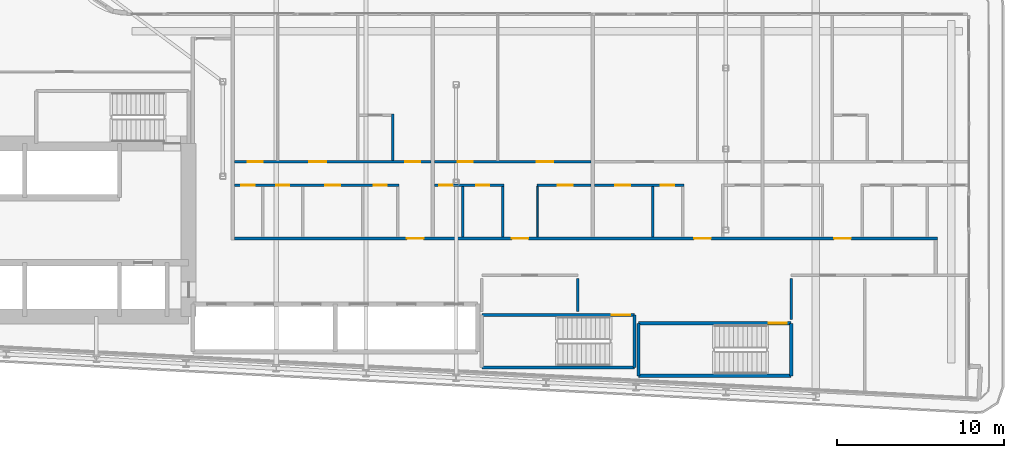
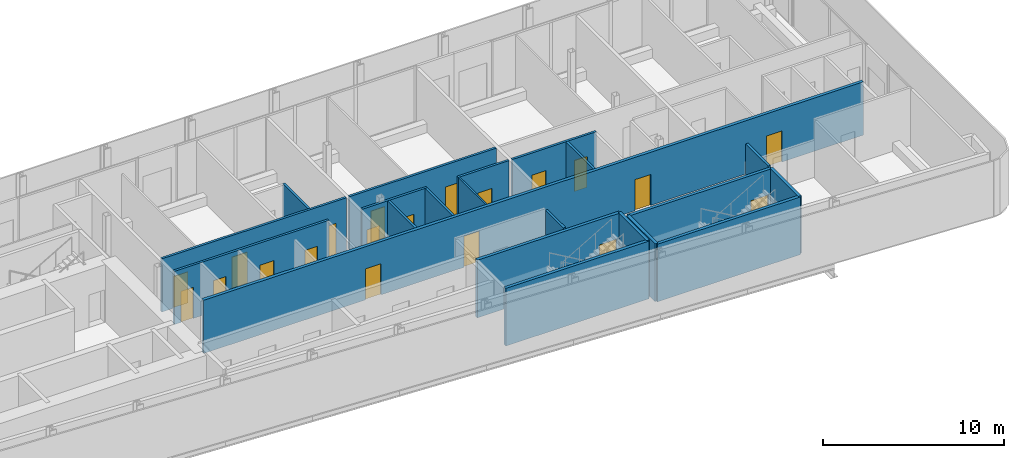
# One storey, part 14 of 26: 21 walls, 20 doors, 20 openings.
"""IFC4 building model written with IfcOpenShell, lengths in metres."""

from ifc_helpers import new_model, si_unit, direction, frame, frame_2d, origin, place, context, subcontext, project, spatial, rectangle, extrude, source, transform, mapped, material, layer, layer_set, type_object, element, fill, save


model = new_model("IFC4")

# Units and contexts
model_context = context("Model", 3, precision=1e-05, world=origin(), true_north=direction((0.0, 1.0)))
body_context = subcontext(model_context, "Body", "Model", "MODEL_VIEW")
ifc_project = project(units=[si_unit("LENGTHUNIT", "METRE"), si_unit("AREAUNIT", "SQUARE_METRE"), si_unit("VOLUMEUNIT", "CUBIC_METRE"), si_unit("PLANEANGLEUNIT", "RADIAN"), si_unit("MASSUNIT", "GRAM", prefix="KILO")], contexts=[model_context])

# Site, building, storey
site_placement = place(None, origin())
site = spatial("IfcSite", under=ifc_project, at=site_placement, CompositionType="ELEMENT")
building_placement = place(site_placement, origin())
building = spatial("IfcBuilding", under=site, at=building_placement, Name="Kheshtan School and Residences Tower", CompositionType="ELEMENT")
storey_placement = place(building_placement, frame((0.0, 0.0, 105.800048828125)))
storey = spatial("IfcBuildingStorey", under=building, at=storey_placement, Name="L24", CompositionType="ELEMENT", Elevation=105.800048828125)

# Wall, openings, doors
ifc_material_1 = material(Name="Gypsum board on steel studs with fire boards", Category="steel")
ifc_layer_1 = layer(ifc_material_1, 0.199951171875)
ifc_layer_set_1 = layer_set([ifc_layer_1], Name="Corridor wall 200")
wall_type_1 = type_object("IfcWallType", Name="Corridor wall 200", PredefinedType="PARTITIONING", material=ifc_layer_set_1)
wall_1_placement = place(storey_placement, frame((55.89990234375, 30.5, 0.0), z_axis=(0.0, 0.0, 1.0), x_axis=(1.0, 0.0, 0.0)))
wall_1 = element("IfcWall", 1, at=wall_1_placement, inside=storey, type_object=wall_type_1, Name="Partition L24-030", PredefinedType="PARTITIONING", context=body_context, shape_type="SweptSolid", body=[
    extrude(rectangle(XDim=42.2001953125, YDim=0.199951171875, at=frame_2d((21.10009765625, 0.0))), origin(), (0.0, 0.0, 1.0), 3.599853515625),
])
opening_1_placement = place(wall_1_placement, frame((10.35009765625, 0.0, 0.0)))
opening_1 = element("IfcOpeningElement", 2, at=opening_1_placement, cuts=wall_1, Name="Opening D23-004", PredefinedType="OPENING", context=body_context, shape_type="SweptSolid", body=[
    extrude(rectangle(XDim=1.0, YDim=2.10009765625, at=frame_2d((0.5, 1.050048828125))), frame((0.0, 0.10986328125, 0.0), z_axis=(0.0, -1.0, 0.0), x_axis=(1.0, 0.0, 0.0)), (0.0, 0.0, 1.0), 0.219970703125),
])
opening_2_placement = place(wall_1_placement, frame((16.64990234375, 0.0, 0.0)))
opening_2 = element("IfcOpeningElement", 3, at=opening_2_placement, cuts=wall_1, Name="Opening D23-012", PredefinedType="OPENING", context=body_context, shape_type="SweptSolid", body=[
    extrude(rectangle(XDim=1.0, YDim=2.10009765625, at=frame_2d((0.5, 1.050048828125))), frame((0.0, 0.10986328125, 0.0), z_axis=(0.0, -1.0, 0.0), x_axis=(1.0, 0.0, 0.0)), (0.0, 0.0, 1.0), 0.219970703125),
])
opening_3_placement = place(wall_1_placement, frame((27.60009765625, 0.0, 0.0)))
opening_3 = element("IfcOpeningElement", 4, at=opening_3_placement, cuts=wall_1, Name="Opening D23-018", PredefinedType="OPENING", context=body_context, shape_type="SweptSolid", body=[
    extrude(rectangle(XDim=1.0, YDim=2.10009765625, at=frame_2d((0.5, 1.050048828125))), frame((0.0, 0.10986328125, 0.0), z_axis=(0.0, -1.0, 0.0), x_axis=(1.0, 0.0, 0.0)), (0.0, 0.0, 1.0), 0.219970703125),
])
opening_4_placement = place(wall_1_placement, frame((36.0, 0.0, 0.0)))
opening_4 = element("IfcOpeningElement", 5, at=opening_4_placement, cuts=wall_1, Name="Opening D23-025", PredefinedType="OPENING", context=body_context, shape_type="SweptSolid", body=[
    extrude(rectangle(XDim=1.0, YDim=2.10009765625, at=frame_2d((0.5, 1.050048828125))), frame((0.0, 0.10986328125, 0.0), z_axis=(0.0, -1.0, 0.0), x_axis=(1.0, 0.0, 0.0)), (0.0, 0.0, 1.0), 0.219970703125),
])
ifc_material_2 = material(Name="Steel-framed fire-resisting door leaf", Category="steel")
door_type_1 = type_object("IfcDoorType", Name="Fire door FD30S 1000 x 2100", OperationType="SINGLE_SWING_LEFT", PredefinedType="DOOR", material=ifc_material_2)
shared_shape_1 = source(origin(), body_context, "Body", "SweptSolid", [
    extrude(rectangle(XDim=1.0, YDim=2.10009765625, at=frame_2d((0.5, 1.050048828125))), frame((0.0, 0.02490234375, 0.0), z_axis=(0.0, -1.0, 0.0), x_axis=(1.0, 0.0, 0.0)), (0.0, 0.0, 1.0), 0.050048828125),
])
door_1_placement = place(opening_1_placement, origin())
door_1 = element("IfcDoor", 6, at=door_1_placement, inside=storey, type_object=door_type_1, Name="Door D23-004", OperationType="SINGLE_SWING_RIGHT", OverallHeight=2.10009765625, OverallWidth=1.0, PredefinedType="DOOR", context=body_context, shape_type="MappedRepresentation", body=[
    mapped(shared_shape_1, transform((0.0, 0.0, 0.0), x_axis=(1.0, 0.0, 0.0), y_axis=(0.0, 1.0, 0.0), z_axis=(0.0, 0.0, 1.0), scale=1.0)),
])
fill(opening_1, door_1)
door_2_placement = place(opening_2_placement, origin())
door_2 = element("IfcDoor", 7, at=door_2_placement, inside=storey, type_object=door_type_1, Name="Door D23-012", OperationType="SINGLE_SWING_RIGHT", OverallHeight=2.10009765625, OverallWidth=1.0, PredefinedType="DOOR", context=body_context, shape_type="MappedRepresentation", body=[
    mapped(shared_shape_1, transform((0.0, 0.0, 0.0), x_axis=(1.0, 0.0, 0.0), y_axis=(0.0, 1.0, 0.0), z_axis=(0.0, 0.0, 1.0), scale=1.0)),
])
fill(opening_2, door_2)
door_3_placement = place(opening_3_placement, origin())
door_3 = element("IfcDoor", 8, at=door_3_placement, inside=storey, type_object=door_type_1, Name="Door D23-018", OperationType="SINGLE_SWING_RIGHT", OverallHeight=2.10009765625, OverallWidth=1.0, PredefinedType="DOOR", context=body_context, shape_type="MappedRepresentation", body=[
    mapped(shared_shape_1, transform((0.0, 0.0, 0.0), x_axis=(1.0, 0.0, 0.0), y_axis=(0.0, 1.0, 0.0), z_axis=(0.0, 0.0, 1.0), scale=1.0)),
])
fill(opening_3, door_3)
door_4_placement = place(opening_4_placement, origin())
door_4 = element("IfcDoor", 9, at=door_4_placement, inside=storey, type_object=door_type_1, Name="Door D23-025", OperationType="SINGLE_SWING_RIGHT", OverallHeight=2.10009765625, OverallWidth=1.0, PredefinedType="DOOR", context=body_context, shape_type="MappedRepresentation", body=[
    mapped(shared_shape_1, transform((0.0, 0.0, 0.0), x_axis=(1.0, 0.0, 0.0), y_axis=(0.0, 1.0, 0.0), z_axis=(0.0, 0.0, 1.0), scale=1.0)),
])
fill(opening_4, door_4)

# Walls
ifc_material_3 = material(Name="Gypsum board on steel studs", Category="steel")
ifc_layer_2 = layer(ifc_material_3, 0.10009765625)
ifc_layer_set_2 = layer_set([ifc_layer_2], Name="Gypsum partition 100")
wall_type_2 = type_object("IfcWallType", Name="Gypsum partition 100", PredefinedType="PARTITIONING", material=ifc_layer_set_2)
wall_2_placement = place(storey_placement, frame((74.10009765625, 30.60009765625, 0.0), z_axis=(0.0, 0.0, 1.0), x_axis=(0.0, 1.0, 0.0)))
element("IfcWall", 10, at=wall_2_placement, inside=storey, type_object=wall_type_2, Name="Partition L24-048", PredefinedType="PARTITIONING", context=body_context, shape_type="SweptSolid", body=[
    extrude(rectangle(XDim=3.02490234375, YDim=0.10009765625, at=frame_2d((1.512451171875, 0.0))), origin(), (0.0, 0.0, 1.0), 3.599853515625),
])
ifc_material_4 = material(Name="Fire-board shaft wall system")
ifc_layer_3 = layer(ifc_material_4, 0.14990234375)
ifc_layer_set_3 = layer_set([ifc_layer_3], Name="Service room wall 150")
wall_type_3 = type_object("IfcWallType", Name="Service room wall 150", PredefinedType="PARTITIONING", material=ifc_layer_set_3)
wall_3_placement = place(storey_placement, frame((76.510009765625, 26.1201171875, 0.0), z_axis=(0.0, 0.0, 1.0), x_axis=(0.0, 1.0, 0.0)))
element("IfcWall", 11, at=wall_3_placement, inside=storey, type_object=wall_type_3, Name="Service room wall", PredefinedType="PARTITIONING", context=body_context, shape_type="SweptSolid", body=[
    extrude(rectangle(XDim=1.98486328125, YDim=0.14990234375, at=frame_2d((0.992431640625, 0.0))), origin(), (0.0, 0.0, 1.0), 3.89990234375),
])
wall_4_placement = place(storey_placement, frame((89.320068359375, 25.6201171875, 0.0), z_axis=(0.0, 0.0, 1.0), x_axis=(0.0, 1.0, 0.0)))
element("IfcWall", 12, at=wall_4_placement, inside=storey, type_object=wall_type_3, Name="Service room wall", PredefinedType="PARTITIONING", context=body_context, shape_type="SweptSolid", body=[
    extrude(rectangle(XDim=2.48486328125, YDim=0.14990234375, at=frame_2d((1.242431640625, 0.0))), origin(), (0.0, 0.0, 1.0), 3.89990234375),
])
ifc_material_5 = material(Name="Concrete C40/50", Category="concrete")
ifc_layer_4 = layer(ifc_material_5, 0.199951171875)
ifc_layer_set_4 = layer_set([ifc_layer_4], Name="Stair enclosure wall 200 Concrete C40/50")
wall_type_4 = type_object("IfcWallType", Name="Stair enclosure wall 200 Concrete C40/50", PredefinedType="SHEAR", material=ifc_layer_set_4)
wall_5_placement = place(storey_placement, frame((80.159912109375, 22.25, 0.0), z_axis=(0.0, 0.0, 1.0), x_axis=(1.0, 0.0, 0.0)))
element("IfcWall", 13, at=wall_5_placement, inside=storey, type_object=wall_type_4, Name="Stair enclosure wall ST4", PredefinedType="SHEAR", context=body_context, shape_type="SweptSolid", body=[
    extrude(rectangle(XDim=9.16015625, YDim=0.199951171875, at=frame_2d((4.580078125, 0.0))), origin(), (0.0, 0.0, 1.0), 3.89990234375),
])

# Wall, opening, door
wall_6_placement = place(storey_placement, frame((80.159912109375, 25.39990234375, 0.0), z_axis=(0.0, 0.0, 1.0), x_axis=(1.0, 0.0, 0.0)))
wall_6 = element("IfcWall", 14, at=wall_6_placement, inside=storey, type_object=wall_type_4, Name="Stair enclosure wall ST4", PredefinedType="SHEAR", context=body_context, shape_type="SweptSolid", body=[
    extrude(rectangle(XDim=9.16015625, YDim=0.199951171875, at=frame_2d((4.580078125, 0.0))), origin(), (0.0, 0.0, 1.0), 3.89990234375),
])
opening_5_placement = place(wall_6_placement, frame((7.81005859375, 0.0, 0.0)))
opening_5 = element("IfcOpeningElement", 15, at=opening_5_placement, cuts=wall_6, Name="Opening ST4D", PredefinedType="OPENING", context=body_context, shape_type="SweptSolid", body=[
    extrude(rectangle(XDim=1.10009765625, YDim=2.199951171875, at=frame_2d((0.550048828125, 1.10009765625))), frame((0.0, 0.10986328125, 0.0), z_axis=(0.0, -1.0, 0.0), x_axis=(1.0, 0.0, 0.0)), (0.0, 0.0, 1.0), 0.219970703125),
])
ifc_material_6 = material(Name="Steel door leaf, galvanised", Category="steel")
door_type_2 = type_object("IfcDoorType", Name="Stair door 1100 steel 90 min", OperationType="SINGLE_SWING_LEFT", PredefinedType="DOOR", material=ifc_material_6)
shared_shape_2 = source(origin(), body_context, "Body", "SweptSolid", [
    extrude(rectangle(XDim=1.10009765625, YDim=2.199951171875, at=frame_2d((0.550048828125, 1.10009765625))), frame((0.0, 0.02490234375, 0.0), z_axis=(0.0, -1.0, 0.0), x_axis=(1.0, 0.0, 0.0)), (0.0, 0.0, 1.0), 0.050048828125),
])
door_5_placement = place(opening_5_placement, origin())
door_5 = element("IfcDoor", 16, at=door_5_placement, inside=storey, type_object=door_type_2, Name="Stair ST4 door", OperationType="SINGLE_SWING_LEFT", OverallHeight=2.199951171875, OverallWidth=1.10009765625, PredefinedType="DOOR", context=body_context, shape_type="MappedRepresentation", body=[
    mapped(shared_shape_2, transform((0.0, 0.0, 0.0), x_axis=(1.0, 0.0, 0.0), y_axis=(0.0, 1.0, 0.0), z_axis=(0.0, 0.0, 1.0), scale=1.0)),
])
fill(opening_5, door_5)

# Walls
for number, where, z_axis, x_axis, name in (
    (17, (80.159912109375, 22.25, 0.0), (0.0, 0.0, 1.0), (0.0, 1.0, 0.0), "Stair enclosure wall ST4"),
    (18, (89.320068359375, 22.25, 0.0), (0.0, 0.0, 1.0), (0.0, 1.0, 0.0), "Stair enclosure wall ST4"),
):
    element("IfcWall", number, at=place(storey_placement, frame(where, z_axis=z_axis, x_axis=x_axis)), inside=storey, type_object=wall_type_4, Name=name, PredefinedType="SHEAR", context=body_context, shape_type="SweptSolid", body=[
        extrude(rectangle(XDim=3.14990234375, YDim=0.199951171875, at=frame_2d((1.574951171875, 0.0))), origin(), (0.0, 0.0, 1.0), 3.89990234375),
    ])
wall_7_placement = place(storey_placement, frame((70.75, 22.75, 0.0), z_axis=(0.0, 0.0, 1.0), x_axis=(1.0, 0.0, 0.0)))
element("IfcWall", 19, at=wall_7_placement, inside=storey, type_object=wall_type_4, Name="Stair enclosure wall ST5", PredefinedType="SHEAR", context=body_context, shape_type="SweptSolid", body=[
    extrude(rectangle(XDim=9.159912109375, YDim=0.199951171875, at=frame_2d((4.580078125, 0.0))), origin(), (0.0, 0.0, 1.0), 3.89990234375),
])

# Wall, opening, door
wall_8_placement = place(storey_placement, frame((70.75, 25.89990234375, 0.0), z_axis=(0.0, 0.0, 1.0), x_axis=(1.0, 0.0, 0.0)))
wall_8 = element("IfcWall", 20, at=wall_8_placement, inside=storey, type_object=wall_type_4, Name="Stair enclosure wall ST5", PredefinedType="SHEAR", context=body_context, shape_type="SweptSolid", body=[
    extrude(rectangle(XDim=9.159912109375, YDim=0.199951171875, at=frame_2d((4.580078125, 0.0))), origin(), (0.0, 0.0, 1.0), 3.89990234375),
])
opening_6_placement = place(wall_8_placement, frame((7.81005859375, 0.0, 0.0)))
opening_6 = element("IfcOpeningElement", 21, at=opening_6_placement, cuts=wall_8, Name="Opening ST5D", PredefinedType="OPENING", context=body_context, shape_type="SweptSolid", body=[
    extrude(rectangle(XDim=1.10009765625, YDim=2.199951171875, at=frame_2d((0.550048828125, 1.10009765625))), frame((0.0, 0.10986328125, 0.0), z_axis=(0.0, -1.0, 0.0), x_axis=(1.0, 0.0, 0.0)), (0.0, 0.0, 1.0), 0.219970703125),
])
door_6_placement = place(opening_6_placement, origin())
door_6 = element("IfcDoor", 22, at=door_6_placement, inside=storey, type_object=door_type_2, Name="Stair ST5 door", OperationType="SINGLE_SWING_LEFT", OverallHeight=2.199951171875, OverallWidth=1.10009765625, PredefinedType="DOOR", context=body_context, shape_type="MappedRepresentation", body=[
    mapped(shared_shape_2, transform((0.0, 0.0, 0.0), x_axis=(1.0, 0.0, 0.0), y_axis=(0.0, 1.0, 0.0), z_axis=(0.0, 0.0, 1.0), scale=1.0)),
])
fill(opening_6, door_6)

# Wall
wall_9_placement = place(storey_placement, frame((79.909912109375, 22.75, 0.0), z_axis=(0.0, 0.0, 1.0), x_axis=(0.0, 1.0, 0.0)))
element("IfcWall", 23, at=wall_9_placement, inside=storey, type_object=wall_type_4, Name="Stair enclosure wall ST5", PredefinedType="SHEAR", context=body_context, shape_type="SweptSolid", body=[
    extrude(rectangle(XDim=3.14990234375, YDim=0.199951171875, at=frame_2d((1.574951171875, 0.0))), origin(), (0.0, 0.0, 1.0), 3.89990234375),
])

# Wall, openings, doors
ifc_material_7 = material(Name="Moisture-resistant gypsum board on steel studs", Category="steel")
ifc_layer_5 = layer(ifc_material_7, 0.14990234375)
ifc_layer_set_5 = layer_set([ifc_layer_5], Name="Wet-room partition 150")
wall_type_5 = type_object("IfcWallType", Name="Wet-room partition 150", PredefinedType="PARTITIONING", material=ifc_layer_set_5)
wall_10_placement = place(storey_placement, frame((55.89990234375, 33.699951171875, 0.0), z_axis=(0.0, 0.0, 1.0), x_axis=(1.0, 0.0, 0.0)))
wall_10 = element("IfcWall", 24, at=wall_10_placement, inside=storey, type_object=wall_type_5, Name="Partition L24-031", PredefinedType="PARTITIONING", context=body_context, shape_type="SweptSolid", body=[
    extrude(rectangle(XDim=9.875, YDim=0.14990234375, at=frame_2d((4.9375, 0.0))), origin(), (0.0, 0.0, 1.0), 3.599853515625),
])
opening_7_placement = place(wall_10_placement, frame((2.5, 0.0, 0.0)))
opening_7 = element("IfcOpeningElement", 25, at=opening_7_placement, cuts=wall_10, Name="Opening D23-001", PredefinedType="OPENING", context=body_context, shape_type="SweptSolid", body=[
    extrude(rectangle(XDim=0.800048828125, YDim=2.10009765625, at=frame_2d((0.39990234375, 1.050048828125))), frame((0.0, 0.0849609375, 0.0), z_axis=(0.0, -1.0, 0.0), x_axis=(1.0, 0.0, 0.0)), (0.0, 0.0, 1.0), 0.169921875),
])
opening_8_placement = place(wall_10_placement, frame((5.449951171875, 0.0, 0.0)))
opening_8 = element("IfcOpeningElement", 26, at=opening_8_placement, cuts=wall_10, Name="Opening D23-005", PredefinedType="OPENING", context=body_context, shape_type="SweptSolid", body=[
    extrude(rectangle(XDim=0.89990234375, YDim=2.10009765625, at=frame_2d((0.449951171875, 1.050048828125))), frame((0.0, 0.0849609375, 0.0), z_axis=(0.0, -1.0, 0.0), x_axis=(1.0, 0.0, 0.0)), (0.0, 0.0, 1.0), 0.169921875),
])
opening_9_placement = place(wall_10_placement, frame((8.35009765625, 0.0, 0.0)))
opening_9 = element("IfcOpeningElement", 27, at=opening_9_placement, cuts=wall_10, Name="Opening D23-006", PredefinedType="OPENING", context=body_context, shape_type="SweptSolid", body=[
    extrude(rectangle(XDim=0.800048828125, YDim=2.10009765625, at=frame_2d((0.39990234375, 1.050048828125))), frame((0.0, 0.0849609375, 0.0), z_axis=(0.0, -1.0, 0.0), x_axis=(1.0, 0.0, 0.0)), (0.0, 0.0, 1.0), 0.169921875),
])
opening_10_placement = place(wall_10_placement, frame((0.39990234375, 0.0, 0.0)))
opening_10 = element("IfcOpeningElement", 28, at=opening_10_placement, cuts=wall_10, Name="Opening D23-009", PredefinedType="OPENING", context=body_context, shape_type="SweptSolid", body=[
    extrude(rectangle(XDim=0.800048828125, YDim=2.10009765625, at=frame_2d((0.39990234375, 1.050048828125))), frame((0.0, 0.0849609375, 0.0), z_axis=(0.0, -1.0, 0.0), x_axis=(1.0, 0.0, 0.0)), (0.0, 0.0, 1.0), 0.169921875),
])
ifc_material_8 = material(Name="Veneered timber door leaf", Category="wood")
door_type_3 = type_object("IfcDoorType", Name="Door 800 x 2100", OperationType="SINGLE_SWING_LEFT", PredefinedType="DOOR", material=ifc_material_8)
shared_shape_3 = source(origin(), body_context, "Body", "SweptSolid", [
    extrude(rectangle(XDim=0.800048828125, YDim=2.10009765625, at=frame_2d((0.39990234375, 1.050048828125))), frame((0.0, 0.02490234375, 0.0), z_axis=(0.0, -1.0, 0.0), x_axis=(1.0, 0.0, 0.0)), (0.0, 0.0, 1.0), 0.050048828125),
])
door_7_placement = place(opening_7_placement, origin())
door_7 = element("IfcDoor", 29, at=door_7_placement, inside=storey, type_object=door_type_3, Name="Door D23-001", OperationType="SINGLE_SWING_RIGHT", OverallHeight=2.10009765625, OverallWidth=0.800048828125, PredefinedType="DOOR", context=body_context, shape_type="MappedRepresentation", body=[
    mapped(shared_shape_3, transform((0.0, 0.0, 0.0), x_axis=(1.0, 0.0, 0.0), y_axis=(0.0, 1.0, 0.0), z_axis=(0.0, 0.0, 1.0), scale=1.0)),
])
fill(opening_7, door_7)
door_8_placement = place(opening_9_placement, origin())
door_8 = element("IfcDoor", 30, at=door_8_placement, inside=storey, type_object=door_type_3, Name="Door D23-006", OperationType="SINGLE_SWING_LEFT", OverallHeight=2.10009765625, OverallWidth=0.800048828125, PredefinedType="DOOR", context=body_context, shape_type="MappedRepresentation", body=[
    mapped(shared_shape_3, transform((0.0, 0.0, 0.0), x_axis=(1.0, 0.0, 0.0), y_axis=(0.0, 1.0, 0.0), z_axis=(0.0, 0.0, 1.0), scale=1.0)),
])
fill(opening_9, door_8)
door_9_placement = place(opening_10_placement, origin())
door_9 = element("IfcDoor", 31, at=door_9_placement, inside=storey, type_object=door_type_3, Name="Door D23-009", OperationType="SINGLE_SWING_LEFT", OverallHeight=2.10009765625, OverallWidth=0.800048828125, PredefinedType="DOOR", context=body_context, shape_type="MappedRepresentation", body=[
    mapped(shared_shape_3, transform((0.0, 0.0, 0.0), x_axis=(1.0, 0.0, 0.0), y_axis=(0.0, 1.0, 0.0), z_axis=(0.0, 0.0, 1.0), scale=1.0)),
])
fill(opening_10, door_9)
door_type_4 = type_object("IfcDoorType", Name="Door 900 x 2100", OperationType="SINGLE_SWING_LEFT", PredefinedType="DOOR", material=ifc_material_8)
shared_shape_4 = source(origin(), body_context, "Body", "SweptSolid", [
    extrude(rectangle(XDim=0.89990234375, YDim=2.10009765625, at=frame_2d((0.449951171875, 1.050048828125))), frame((0.0, 0.02490234375, 0.0), z_axis=(0.0, -1.0, 0.0), x_axis=(1.0, 0.0, 0.0)), (0.0, 0.0, 1.0), 0.050048828125),
])
door_10_placement = place(opening_8_placement, origin())
door_10 = element("IfcDoor", 32, at=door_10_placement, inside=storey, type_object=door_type_4, Name="Door D23-005", OperationType="SINGLE_SWING_LEFT", OverallHeight=2.10009765625, OverallWidth=0.89990234375, PredefinedType="DOOR", context=body_context, shape_type="MappedRepresentation", body=[
    mapped(shared_shape_4, transform((0.0, 0.0, 0.0), x_axis=(1.0, 0.0, 0.0), y_axis=(0.0, 1.0, 0.0), z_axis=(0.0, 0.0, 1.0), scale=1.0)),
])
fill(opening_8, door_10)

wall_11_placement = place(storey_placement, frame((55.89990234375, 35.10009765625, 0.0), z_axis=(0.0, 0.0, 1.0), x_axis=(1.0, 0.0, 0.0)))
wall_11 = element("IfcWall", 33, at=wall_11_placement, inside=storey, type_object=wall_type_5, Name="Partition L24-032", PredefinedType="PARTITIONING", context=body_context, shape_type="SweptSolid", body=[
    extrude(rectangle(XDim=11.800048828125, YDim=0.14990234375, at=frame_2d((5.89990234375, 0.0))), origin(), (0.0, 0.0, 1.0), 3.599853515625),
])
opening_11_placement = place(wall_11_placement, frame((0.800048828125, 0.0, 0.0)))
opening_11 = element("IfcOpeningElement", 34, at=opening_11_placement, cuts=wall_11, Name="Opening D23-002", PredefinedType="OPENING", context=body_context, shape_type="SweptSolid", body=[
    extrude(rectangle(XDim=0.89990234375, YDim=2.10009765625, at=frame_2d((0.449951171875, 1.050048828125))), frame((0.0, 0.0849609375, 0.0), z_axis=(0.0, -1.0, 0.0), x_axis=(1.0, 0.0, 0.0)), (0.0, 0.0, 1.0), 0.169921875),
])
opening_12_placement = place(wall_11_placement, frame((4.5, 0.0, 0.0)))
opening_12 = element("IfcOpeningElement", 35, at=opening_12_placement, cuts=wall_11, Name="Opening D23-007", PredefinedType="OPENING", context=body_context, shape_type="SweptSolid", body=[
    extrude(rectangle(XDim=1.0, YDim=2.10009765625, at=frame_2d((0.5, 1.050048828125))), frame((0.0, 0.0849609375, 0.0), z_axis=(0.0, -1.0, 0.0), x_axis=(1.0, 0.0, 0.0)), (0.0, 0.0, 1.0), 0.169921875),
])
opening_13_placement = place(wall_11_placement, frame((10.25, 0.0, 0.0)))
opening_13 = element("IfcOpeningElement", 36, at=opening_13_placement, cuts=wall_11, Name="Opening D23-008", PredefinedType="OPENING", context=body_context, shape_type="SweptSolid", body=[
    extrude(rectangle(XDim=0.89990234375, YDim=2.10009765625, at=frame_2d((0.449951171875, 1.050048828125))), frame((0.0, 0.0849609375, 0.0), z_axis=(0.0, -1.0, 0.0), x_axis=(1.0, 0.0, 0.0)), (0.0, 0.0, 1.0), 0.169921875),
])
door_type_5 = type_object("IfcDoorType", Name="Door 1000 x 2100", OperationType="SINGLE_SWING_LEFT", PredefinedType="DOOR", material=ifc_material_8)
shared_shape_5 = source(origin(), body_context, "Body", "SweptSolid", [
    extrude(rectangle(XDim=1.0, YDim=2.10009765625, at=frame_2d((0.5, 1.050048828125))), frame((0.0, 0.02490234375, 0.0), z_axis=(0.0, -1.0, 0.0), x_axis=(1.0, 0.0, 0.0)), (0.0, 0.0, 1.0), 0.050048828125),
])
door_11_placement = place(opening_12_placement, origin())
door_11 = element("IfcDoor", 37, at=door_11_placement, inside=storey, type_object=door_type_5, Name="Door D23-007", OperationType="SINGLE_SWING_RIGHT", OverallHeight=2.10009765625, OverallWidth=1.0, PredefinedType="DOOR", context=body_context, shape_type="MappedRepresentation", body=[
    mapped(shared_shape_5, transform((0.0, 0.0, 0.0), x_axis=(1.0, 0.0, 0.0), y_axis=(0.0, 1.0, 0.0), z_axis=(0.0, 0.0, 1.0), scale=1.0)),
])
fill(opening_12, door_11)
door_12_placement = place(opening_11_placement, origin())
door_12 = element("IfcDoor", 38, at=door_12_placement, inside=storey, type_object=door_type_4, Name="Door D23-002", OperationType="SINGLE_SWING_RIGHT", OverallHeight=2.10009765625, OverallWidth=0.89990234375, PredefinedType="DOOR", context=body_context, shape_type="MappedRepresentation", body=[
    mapped(shared_shape_4, transform((0.0, 0.0, 0.0), x_axis=(1.0, 0.0, 0.0), y_axis=(0.0, 1.0, 0.0), z_axis=(0.0, 0.0, 1.0), scale=1.0)),
])
fill(opening_11, door_12)
door_13_placement = place(opening_13_placement, origin())
door_13 = element("IfcDoor", 39, at=door_13_placement, inside=storey, type_object=door_type_4, Name="Door D23-008", OperationType="SINGLE_SWING_LEFT", OverallHeight=2.10009765625, OverallWidth=0.89990234375, PredefinedType="DOOR", context=body_context, shape_type="MappedRepresentation", body=[
    mapped(shared_shape_4, transform((0.0, 0.0, 0.0), x_axis=(1.0, 0.0, 0.0), y_axis=(0.0, 1.0, 0.0), z_axis=(0.0, 0.0, 1.0), scale=1.0)),
])
fill(opening_13, door_13)

# Wall
wall_12_placement = place(storey_placement, frame((65.39990234375, 35.175048828125, 0.0), z_axis=(0.0, 0.0, 1.0), x_axis=(0.0, 1.0, 0.0)))
element("IfcWall", 40, at=wall_12_placement, inside=storey, type_object=wall_type_5, Name="Partition L24-039", PredefinedType="PARTITIONING", context=body_context, shape_type="SweptSolid", body=[
    extrude(rectangle(XDim=2.800048828125, YDim=0.14990234375, at=frame_2d((1.39990234375, 0.0))), origin(), (0.0, 0.0, 1.0), 3.599853515625),
])

# Wall, openings, doors
wall_13_placement = place(storey_placement, frame((67.89990234375, 33.699951171875, 0.0), z_axis=(0.0, 0.0, 1.0), x_axis=(1.0, 0.0, 0.0)))
wall_13 = element("IfcWall", 41, at=wall_13_placement, inside=storey, type_object=wall_type_5, Name="Partition L24-042", PredefinedType="PARTITIONING", context=body_context, shape_type="SweptSolid", body=[
    extrude(rectangle(XDim=4.175048828125, YDim=0.14990234375, at=frame_2d((2.08740234375, 0.0))), origin(), (0.0, 0.0, 1.0), 3.599853515625),
])
opening_14_placement = place(wall_13_placement, frame((2.5, 0.0, 0.0)))
opening_14 = element("IfcOpeningElement", 42, at=opening_14_placement, cuts=wall_13, Name="Opening D23-010", PredefinedType="OPENING", context=body_context, shape_type="SweptSolid", body=[
    extrude(rectangle(XDim=0.800048828125, YDim=2.10009765625, at=frame_2d((0.39990234375, 1.050048828125))), frame((0.0, 0.0849609375, 0.0), z_axis=(0.0, -1.0, 0.0), x_axis=(1.0, 0.0, 0.0)), (0.0, 0.0, 1.0), 0.169921875),
])
opening_15_placement = place(wall_13_placement, frame((0.300048828125, 0.0, 0.0)))
opening_15 = element("IfcOpeningElement", 43, at=opening_15_placement, cuts=wall_13, Name="Opening D23-015", PredefinedType="OPENING", context=body_context, shape_type="SweptSolid", body=[
    extrude(rectangle(XDim=0.800048828125, YDim=2.10009765625, at=frame_2d((0.39990234375, 1.050048828125))), frame((0.0, 0.0849609375, 0.0), z_axis=(0.0, -1.0, 0.0), x_axis=(1.0, 0.0, 0.0)), (0.0, 0.0, 1.0), 0.169921875),
])
door_14_placement = place(opening_14_placement, origin())
door_14 = element("IfcDoor", 44, at=door_14_placement, inside=storey, type_object=door_type_3, Name="Door D23-010", OperationType="SINGLE_SWING_RIGHT", OverallHeight=2.10009765625, OverallWidth=0.800048828125, PredefinedType="DOOR", context=body_context, shape_type="MappedRepresentation", body=[
    mapped(shared_shape_3, transform((0.0, 0.0, 0.0), x_axis=(1.0, 0.0, 0.0), y_axis=(0.0, 1.0, 0.0), z_axis=(0.0, 0.0, 1.0), scale=1.0)),
])
fill(opening_14, door_14)
door_15_placement = place(opening_15_placement, origin())
door_15 = element("IfcDoor", 45, at=door_15_placement, inside=storey, type_object=door_type_3, Name="Door D23-015", OperationType="SINGLE_SWING_RIGHT", OverallHeight=2.10009765625, OverallWidth=0.800048828125, PredefinedType="DOOR", context=body_context, shape_type="MappedRepresentation", body=[
    mapped(shared_shape_3, transform((0.0, 0.0, 0.0), x_axis=(1.0, 0.0, 0.0), y_axis=(0.0, 1.0, 0.0), z_axis=(0.0, 0.0, 1.0), scale=1.0)),
])
fill(opening_15, door_15)

wall_14_placement = place(storey_placement, frame((67.89990234375, 35.10009765625, 0.0), z_axis=(0.0, 0.0, 1.0), x_axis=(1.0, 0.0, 0.0)))
wall_14 = element("IfcWall", 46, at=wall_14_placement, inside=storey, type_object=wall_type_5, Name="Partition L24-043", PredefinedType="PARTITIONING", context=body_context, shape_type="SweptSolid", body=[
    extrude(rectangle(XDim=9.400146484375, YDim=0.14990234375, at=frame_2d((4.7001953125, 0.0))), origin(), (0.0, 0.0, 1.0), 3.599853515625),
])
opening_16_placement = place(wall_14_placement, frame((1.39990234375, 0.0, 0.0)))
opening_16 = element("IfcOpeningElement", 47, at=opening_16_placement, cuts=wall_14, Name="Opening D23-011", PredefinedType="OPENING", context=body_context, shape_type="SweptSolid", body=[
    extrude(rectangle(XDim=0.89990234375, YDim=2.10009765625, at=frame_2d((0.449951171875, 1.050048828125))), frame((0.0, 0.0849609375, 0.0), z_axis=(0.0, -1.0, 0.0), x_axis=(1.0, 0.0, 0.0)), (0.0, 0.0, 1.0), 0.169921875),
])
opening_17_placement = place(wall_14_placement, frame((6.14990234375, 0.0, 0.0)))
opening_17 = element("IfcOpeningElement", 48, at=opening_17_placement, cuts=wall_14, Name="Opening D23-014", PredefinedType="OPENING", context=body_context, shape_type="SweptSolid", body=[
    extrude(rectangle(XDim=1.0, YDim=2.10009765625, at=frame_2d((0.5, 1.050048828125))), frame((0.0, 0.0849609375, 0.0), z_axis=(0.0, -1.0, 0.0), x_axis=(1.0, 0.0, 0.0)), (0.0, 0.0, 1.0), 0.169921875),
])
door_16_placement = place(opening_17_placement, origin())
door_16 = element("IfcDoor", 49, at=door_16_placement, inside=storey, type_object=door_type_5, Name="Door D23-014", OperationType="SINGLE_SWING_LEFT", OverallHeight=2.10009765625, OverallWidth=1.0, PredefinedType="DOOR", context=body_context, shape_type="MappedRepresentation", body=[
    mapped(shared_shape_5, transform((0.0, 0.0, 0.0), x_axis=(1.0, 0.0, 0.0), y_axis=(0.0, 1.0, 0.0), z_axis=(0.0, 0.0, 1.0), scale=1.0)),
])
fill(opening_17, door_16)
door_17_placement = place(opening_16_placement, origin())
door_17 = element("IfcDoor", 50, at=door_17_placement, inside=storey, type_object=door_type_4, Name="Door D23-011", OperationType="SINGLE_SWING_RIGHT", OverallHeight=2.10009765625, OverallWidth=0.89990234375, PredefinedType="DOOR", context=body_context, shape_type="MappedRepresentation", body=[
    mapped(shared_shape_4, transform((0.0, 0.0, 0.0), x_axis=(1.0, 0.0, 0.0), y_axis=(0.0, 1.0, 0.0), z_axis=(0.0, 0.0, 1.0), scale=1.0)),
])
fill(opening_16, door_17)

# Walls
for number, where, z_axis, x_axis, name in (
    (51, (69.60009765625, 30.60009765625, 0.0), (0.0, 0.0, 1.0), (0.0, 1.0, 0.0), "Partition L24-044"),
    (52, (72.0, 30.60009765625, 0.0), (0.0, 0.0, 1.0), (0.0, 1.0, 0.0), "Partition L24-046"),
):
    element("IfcWall", number, at=place(storey_placement, frame(where, z_axis=z_axis, x_axis=x_axis)), inside=storey, type_object=wall_type_5, Name=name, PredefinedType="PARTITIONING", context=body_context, shape_type="SweptSolid", body=[
        extrude(rectangle(XDim=3.02490234375, YDim=0.14990234375, at=frame_2d((1.512451171875, 0.0))), origin(), (0.0, 0.0, 1.0), 3.599853515625),
    ])

# Wall, opening, door
wall_15_placement = place(storey_placement, frame((74.050048828125, 33.699951171875, 0.0), z_axis=(0.0, 0.0, 1.0), x_axis=(1.0, 0.0, 0.0)))
wall_15 = element("IfcWall", 53, at=wall_15_placement, inside=storey, type_object=wall_type_5, Name="Partition L24-047", PredefinedType="PARTITIONING", context=body_context, shape_type="SweptSolid", body=[
    extrude(rectangle(XDim=3.25, YDim=0.14990234375, at=frame_2d((1.625, 0.0))), origin(), (0.0, 0.0, 1.0), 3.599853515625),
])
opening_18_placement = place(wall_15_placement, frame((1.25, 0.0, 0.0)))
opening_18 = element("IfcOpeningElement", 54, at=opening_18_placement, cuts=wall_15, Name="Opening D23-013", PredefinedType="OPENING", context=body_context, shape_type="SweptSolid", body=[
    extrude(rectangle(XDim=0.89990234375, YDim=2.10009765625, at=frame_2d((0.449951171875, 1.050048828125))), frame((0.0, 0.0849609375, 0.0), z_axis=(0.0, -1.0, 0.0), x_axis=(1.0, 0.0, 0.0)), (0.0, 0.0, 1.0), 0.169921875),
])
door_18_placement = place(opening_18_placement, origin())
door_18 = element("IfcDoor", 55, at=door_18_placement, inside=storey, type_object=door_type_4, Name="Door D23-013", OperationType="SINGLE_SWING_LEFT", OverallHeight=2.10009765625, OverallWidth=0.89990234375, PredefinedType="DOOR", context=body_context, shape_type="MappedRepresentation", body=[
    mapped(shared_shape_4, transform((0.0, 0.0, 0.0), x_axis=(1.0, 0.0, 0.0), y_axis=(0.0, 1.0, 0.0), z_axis=(0.0, 0.0, 1.0), scale=1.0)),
])
fill(opening_18, door_18)

# Wall, openings, doors
wall_16_placement = place(storey_placement, frame((77.5, 33.699951171875, 0.0), z_axis=(0.0, 0.0, 1.0), x_axis=(1.0, 0.0, 0.0)))
wall_16 = element("IfcWall", 56, at=wall_16_placement, inside=storey, type_object=wall_type_5, Name="Partition L24-050", PredefinedType="PARTITIONING", context=body_context, shape_type="SweptSolid", body=[
    extrude(rectangle(XDim=5.375, YDim=0.14990234375, at=frame_2d((2.6875, 0.0))), origin(), (0.0, 0.0, 1.0), 3.599853515625),
])
opening_19_placement = place(wall_16_placement, frame((1.25, 0.0, 0.0)))
opening_19 = element("IfcOpeningElement", 57, at=opening_19_placement, cuts=wall_16, Name="Opening D23-019", PredefinedType="OPENING", context=body_context, shape_type="SweptSolid", body=[
    extrude(rectangle(XDim=0.89990234375, YDim=2.10009765625, at=frame_2d((0.449951171875, 1.050048828125))), frame((0.0, 0.0849609375, 0.0), z_axis=(0.0, -1.0, 0.0), x_axis=(1.0, 0.0, 0.0)), (0.0, 0.0, 1.0), 0.169921875),
])
opening_20_placement = place(wall_16_placement, frame((4.0, 0.0, 0.0)))
opening_20 = element("IfcOpeningElement", 58, at=opening_20_placement, cuts=wall_16, Name="Opening D23-021", PredefinedType="OPENING", context=body_context, shape_type="SweptSolid", body=[
    extrude(rectangle(XDim=0.800048828125, YDim=2.10009765625, at=frame_2d((0.39990234375, 1.050048828125))), frame((0.0, 0.0849609375, 0.0), z_axis=(0.0, -1.0, 0.0), x_axis=(1.0, 0.0, 0.0)), (0.0, 0.0, 1.0), 0.169921875),
])
door_19_placement = place(opening_20_placement, origin())
door_19 = element("IfcDoor", 59, at=door_19_placement, inside=storey, type_object=door_type_3, Name="Door D23-021", OperationType="SINGLE_SWING_LEFT", OverallHeight=2.10009765625, OverallWidth=0.800048828125, PredefinedType="DOOR", context=body_context, shape_type="MappedRepresentation", body=[
    mapped(shared_shape_3, transform((0.0, 0.0, 0.0), x_axis=(1.0, 0.0, 0.0), y_axis=(0.0, 1.0, 0.0), z_axis=(0.0, 0.0, 1.0), scale=1.0)),
])
fill(opening_20, door_19)
door_20_placement = place(opening_19_placement, origin())
door_20 = element("IfcDoor", 60, at=door_20_placement, inside=storey, type_object=door_type_4, Name="Door D23-019", OperationType="SINGLE_SWING_LEFT", OverallHeight=2.10009765625, OverallWidth=0.89990234375, PredefinedType="DOOR", context=body_context, shape_type="MappedRepresentation", body=[
    mapped(shared_shape_4, transform((0.0, 0.0, 0.0), x_axis=(1.0, 0.0, 0.0), y_axis=(0.0, 1.0, 0.0), z_axis=(0.0, 0.0, 1.0), scale=1.0)),
])
fill(opening_19, door_20)

# Wall
wall_17_placement = place(storey_placement, frame((81.0, 30.60009765625, 0.0), z_axis=(0.0, 0.0, 1.0), x_axis=(0.0, 1.0, 0.0)))
element("IfcWall", 61, at=wall_17_placement, inside=storey, type_object=wall_type_5, Name="Partition L24-052", PredefinedType="PARTITIONING", context=body_context, shape_type="SweptSolid", body=[
    extrude(rectangle(XDim=3.02490234375, YDim=0.14990234375, at=frame_2d((1.512451171875, 0.0))), origin(), (0.0, 0.0, 1.0), 3.599853515625),
])

save(model, "model.ifc")
